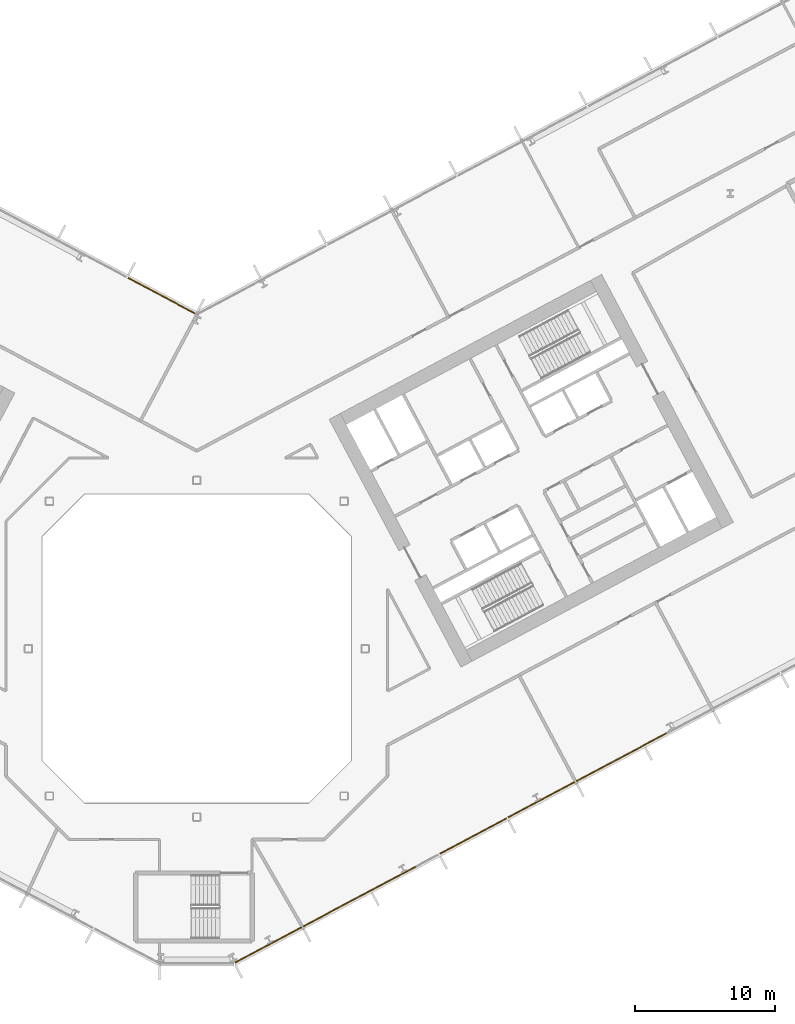
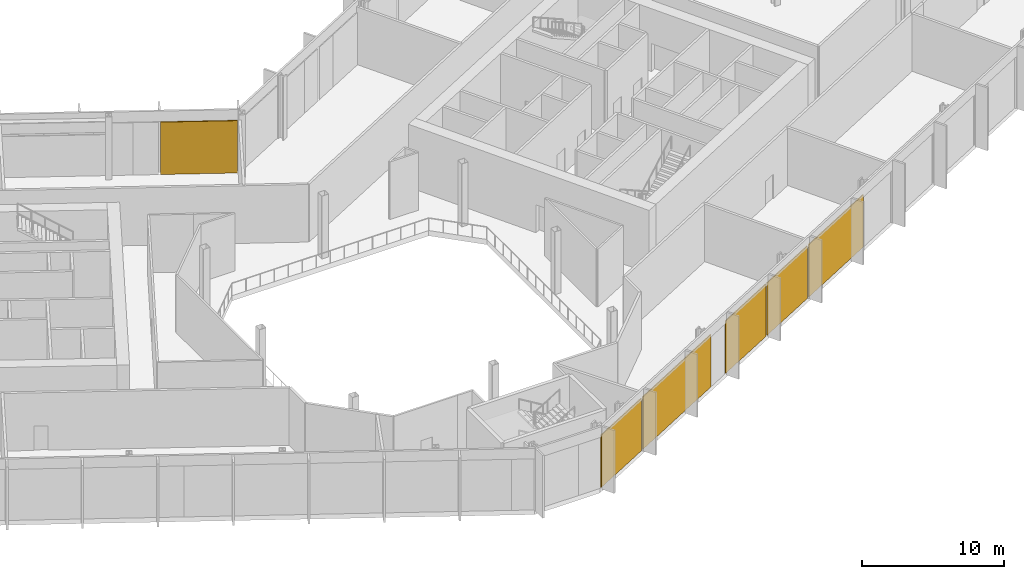
# One storey, part 25 of 31: 6 coverings, 2 elements without a shape of their own.
"""IFC4 building model written with IfcOpenShell, lengths in metres."""

import ifcopenshell
import ifcopenshell.guid

model = None  # the IFC model being written
_history = None  # IfcOwnerHistory: only IFC2X3 demands one
_inside = {}  # id of a spatial element -> (the spatial element, [elements in it])
_under = {}  # id of a project, library or spatial element -> (it, [spatial elements below it])
_declared = {}  # id of a project -> (the project, [libraries it declares])
_typed = {}  # id of a type object -> (the type object, [elements of that type])
_made_of = {}  # id of a material, layer set ... -> (it, [elements and type objects made of it])


def new_model(schema):
    """Start an empty IFC model of exactly this schema.

    Asked for "IFC4X3", IfcOpenShell would pick the latest addendum, in which some entities
    have other attributes; the version numbers below select the first issue.
    IFC2X3 requires an IfcOwnerHistory on every rooted entity: one is made here for all.
    """
    global model, _history
    if schema == "IFC4X3":
        model = ifcopenshell.file(schema_version=(4, 3, 0, 0))
    else:
        model = ifcopenshell.file(schema=schema)
    _inside.clear()
    _under.clear()
    _declared.clear()
    _typed.clear()
    _made_of.clear()
    _history = None
    if model.schema == "IFC2X3":
        org = make("IfcOrganization", Name="unknown")
        user = make(
            "IfcPersonAndOrganization",
            ThePerson=make("IfcPerson", FamilyName="unknown"),
            TheOrganization=org,
        )
        app = make(
            "IfcApplication",
            ApplicationDeveloper=org,
            Version="unknown",
            ApplicationFullName="unknown",
            ApplicationIdentifier="unknown",
        )
        _history = make(
            "IfcOwnerHistory",
            OwningUser=user,
            OwningApplication=app,
            ChangeAction="ADDED",
            CreationDate=0,
        )
    return model


def make(cls, **values):
    """One entity of the class cls with the attributes given. An attribute that is None is left unset."""
    return model.create_entity(
        cls, **{name: value for name, value in values.items() if value is not None}
    )


def rooted(cls, **values):
    """An entity with a GlobalId (a new one), such as an element, a storey or a relation."""
    return make(cls, GlobalId=ifcopenshell.guid.new(), OwnerHistory=_history, **values)


def si_unit(unit_type, name, prefix=None):
    """IfcSIUnit, for example si_unit("LENGTHUNIT", "METRE", prefix="MILLI")."""
    return make("IfcSIUnit", UnitType=unit_type, Prefix=prefix, Name=name)


def assignment(units):
    """IfcUnitAssignment: the units of a project."""
    return None if units is None else make("IfcUnitAssignment", Units=units)


def point(xyz):
    """IfcCartesianPoint."""
    return None if xyz is None else make("IfcCartesianPoint", Coordinates=xyz)


def direction(xyz):
    """IfcDirection."""
    return None if xyz is None else make("IfcDirection", DirectionRatios=xyz)


def frame(location, z_axis=None, x_axis=None):
    """IfcAxis2Placement3D, a coordinate frame: its origin and axes. An axis left out is left unset."""
    return make(
        "IfcAxis2Placement3D",
        Location=point(location),
        Axis=direction(z_axis),
        RefDirection=direction(x_axis),
    )


def frame_2d(location, x_axis=None):
    """IfcAxis2Placement2D, a coordinate frame in the plane: its origin and x axis."""
    return make(
        "IfcAxis2Placement2D", Location=point(location), RefDirection=direction(x_axis)
    )


def origin():
    """The frame at (0, 0, 0) with its axes left unset."""
    return frame((0.0, 0.0, 0.0))


def origin_2d():
    """The frame at (0, 0) in the plane with its x axis left unset."""
    return frame_2d((0.0, 0.0))


def place(relative_to, where):
    """IfcLocalPlacement: puts the frame where relative to a parent placement (None: the world)."""
    return make(
        "IfcLocalPlacement", PlacementRelTo=relative_to, RelativePlacement=where
    )


def context(
    kind, dimensions, precision=None, world=None, true_north=None, identifier=None
):
    """IfcGeometricRepresentationContext, for example the 3D "Model" context."""
    return make(
        "IfcGeometricRepresentationContext",
        ContextIdentifier=identifier,
        ContextType=kind,
        CoordinateSpaceDimension=dimensions,
        Precision=precision,
        WorldCoordinateSystem=world,
        TrueNorth=true_north,
    )


def subcontext(parent, identifier, kind, view, scale=None):
    """IfcGeometricRepresentationSubContext, for example "Body" below "Model"."""
    return make(
        "IfcGeometricRepresentationSubContext",
        ContextIdentifier=identifier,
        ContextType=kind,
        ParentContext=parent,
        TargetScale=scale,
        TargetView=view,
    )


def project(units=None, contexts=None):
    """IfcProject with its units and contexts."""
    return rooted(
        "IfcProject",
        Name="project",
        RepresentationContexts=contexts,
        UnitsInContext=assignment(units),
    )


def spatial(cls, under=None, at=None, **own):
    """A site, building, storey or space (cls), placed at a placement, below another one or the project."""
    s = rooted(cls, ObjectPlacement=at, **own)
    if under is not None:
        _under.setdefault(under.id(), (under, []))[1].append(s)
    return s


def profile(cls, at=None, kind="AREA", **sizes):
    """A parametric profile (cls). Its sizes go by their IFC names, for example OverallWidth=200.0."""
    return make(cls, ProfileType=kind, Position=at, **sizes)


def rectangle(**sizes):
    """IfcRectangleProfileDef."""
    return profile("IfcRectangleProfileDef", **sizes)


def extrude(swept, where, along, depth):
    """IfcExtrudedAreaSolid: the profile swept, set in the frame where, extruded along a direction by depth."""
    return make(
        "IfcExtrudedAreaSolid",
        SweptArea=swept,
        Position=where,
        ExtrudedDirection=direction(along),
        Depth=depth,
    )


def shape(context_of_items, identifier, shape_type, items):
    """IfcShapeRepresentation: the items that make up one representation, for example the "Body"."""
    return make(
        "IfcShapeRepresentation",
        ContextOfItems=context_of_items,
        RepresentationIdentifier=identifier,
        RepresentationType=shape_type,
        Items=items,
    )


def material(Name=None, Category=None):
    """IfcMaterial."""
    return make("IfcMaterial", Name=Name, Category=Category)


def layer(
    of_material, thickness, ventilated=None, Name=None, Category=None, Priority=None
):
    """IfcMaterialLayer: one layer of a wall or slab, of a material (None: an air gap)."""
    return make(
        "IfcMaterialLayer",
        Material=of_material,
        LayerThickness=thickness,
        IsVentilated=ventilated,
        Name=Name,
        Category=Category,
        Priority=Priority,
    )


def layer_set(layers, Name=None):
    """IfcMaterialLayerSet."""
    return make("IfcMaterialLayerSet", MaterialLayers=layers, LayerSetName=Name)


def made_of(thing, what):
    """Note that an element or type object is made of a material, layer set ...; save() writes the relation."""
    if what is not None:
        _made_of.setdefault(what.id(), (what, []))[1].append(thing)
    return thing


def type_object(cls, material=None, **own):
    """A type object (cls), such as IfcWallType, which elements share."""
    return made_of(rooted(cls, **own), material)


def element(
    cls,
    number,
    at=None,
    inside=None,
    cuts=None,
    type_object=None,
    material=None,
    context=None,
    identifier="Body",
    shape_type=None,
    held_by="IfcProductDefinitionShape",
    body=None,
    shapes=None,
    **own,
):
    """One element of the class cls, such as IfcWall. Its Tag is "e" and its number.

    at: its placement. inside: the storey or other place that contains it. cuts: it is an
    opening in that element (IfcRelVoidsElement). A single representation is given by context,
    identifier, shape_type and body (its items); several are given by shapes. held_by: the class
    of the entity that holds the representations. save() writes the other relations.
    """
    e = rooted(cls, Tag="e%d" % number, ObjectPlacement=at, **own)
    if body is not None:
        shapes = [shape(context, identifier, shape_type, body)]
    if shapes is not None:
        e.Representation = make(held_by, Representations=shapes)
    if inside is not None:
        _inside.setdefault(inside.id(), (inside, []))[1].append(e)
    if cuts is not None:
        rooted(
            "IfcRelVoidsElement", RelatingBuildingElement=cuts, RelatedOpeningElement=e
        )
    if type_object is not None:
        _typed.setdefault(type_object.id(), (type_object, []))[1].append(e)
    return made_of(e, material)


def aggregate(whole, parts):
    """IfcRelAggregates: a whole, such as a stair, and the parts it consists of."""
    return rooted("IfcRelAggregates", RelatingObject=whole, RelatedObjects=parts)


def save(model, path):
    """Write the relations noted so far, then the file.

    IfcRelAggregates (storeys below a building ...), IfcRelContainedInSpatialStructure (elements
    in a storey), IfcRelDefinesByType, IfcRelAssociatesMaterial and IfcRelDeclares: one each for
    every whole, place, type object, material and project.
    """
    for whole, parts in _under.values():
        aggregate(whole, parts)
    for where, things in _inside.values():
        rooted(
            "IfcRelContainedInSpatialStructure",
            RelatedElements=things,
            RelatingStructure=where,
        )
    for kind, things in _typed.values():
        rooted("IfcRelDefinesByType", RelatedObjects=things, RelatingType=kind)
    for what, things in _made_of.values():
        rooted("IfcRelAssociatesMaterial", RelatedObjects=things, RelatingMaterial=what)
    for by, libraries in _declared.values():
        rooted("IfcRelDeclares", RelatingContext=by, RelatedDefinitions=libraries)
    model.write(path)


model = new_model("IFC4")

# Units and contexts
model_context = context("Model", 3, precision=1e-05, world=origin(), true_north=direction((0.0, 1.0)))
body_context = subcontext(model_context, "Body", "Model", "MODEL_VIEW")
ifc_project = project(units=[si_unit("LENGTHUNIT", "METRE"), si_unit("AREAUNIT", "SQUARE_METRE"), si_unit("VOLUMEUNIT", "CUBIC_METRE"), si_unit("PLANEANGLEUNIT", "RADIAN"), si_unit("MASSUNIT", "GRAM", prefix="KILO")], contexts=[model_context])

# Site, building, storey
site_placement = place(None, origin())
site = spatial("IfcSite", under=ifc_project, at=site_placement, CompositionType="ELEMENT")
building_placement = place(site_placement, origin())
building = spatial("IfcBuilding", under=site, at=building_placement, Name="Cormorant Relay Tower", CompositionType="ELEMENT")
storey_placement = place(building_placement, frame((0.0, 0.0, 50.0)))
storey = spatial("IfcBuildingStorey", under=building, at=storey_placement, Name="L09", CompositionType="ELEMENT", Elevation=50.0)

# Curtain wall, coverings
ifc_material_1 = material(Name="Aluminium 6063-T6 anodised bronze", Category="aluminium")
ifc_layer_1 = layer(ifc_material_1, 0.235107421875)
ifc_layer_set_1 = layer_set([ifc_layer_1], Name="CW6 data hall curtain wall with mineral wool panels")
curtain_wall_type = type_object("IfcCurtainWallType", Name="CW6 data hall curtain wall with mineral wool panels", PredefinedType="NOTDEFINED", material=ifc_layer_set_1)
curtain_wall_1_placement = place(storey_placement, origin())
curtain_wall_1 = element("IfcCurtainWall", 1, at=curtain_wall_1_placement, inside=storey, type_object=curtain_wall_type, Name="CW6 curtain wall 2", PredefinedType="NOTDEFINED")
ifc_material_2 = material(Name="Mineral wool cored anodised bronze aluminium cassette panel", Category="aluminium")
ifc_layer_2 = layer(ifc_material_2, 0.074951171875)
ifc_layer_set_2 = layer_set([ifc_layer_2], Name="CW6 mineral wool cassette panel 75")
covering_type = type_object("IfcCoveringType", Name="CW6 mineral wool cassette panel 75", PredefinedType="CLADDING", material=ifc_layer_set_2)
covering_1_placement = place(storey_placement, frame((5.099853515625, -21.11474609375, 0.0), z_axis=(0.0, 0.0, 1.0), x_axis=(0.882947592859, 0.469471562786, 0.0)))
covering_1 = element("IfcCovering", 2, at=covering_1_placement, type_object=covering_type, Name="CW6 panel S00", PredefinedType="CLADDING", context=body_context, shape_type="SweptSolid", body=[
    extrude(rectangle(XDim=5.36181640625, YDim=0.074951171875, at=origin_2d()), origin(), (0.0, 0.0, 1.0), 4.5),
])
covering_2_placement = place(storey_placement, frame((11.60498046875, -17.656005859375, 0.0), z_axis=(0.0, 0.0, 1.0), x_axis=(0.882947592859, 0.469471562786, 0.0)))
covering_2 = element("IfcCovering", 3, at=covering_2_placement, type_object=covering_type, Name="CW6 panel S01", PredefinedType="CLADDING", context=body_context, shape_type="SweptSolid", body=[
    extrude(rectangle(XDim=9.07373046875, YDim=0.074951171875, at=origin_2d()), origin(), (0.0, 0.0, 1.0), 4.5),
])
covering_3_placement = place(storey_placement, frame((19.69970703125, -13.351806640625, 0.0), z_axis=(0.0, 0.0, 1.0), x_axis=(0.882947592859, 0.469471562786, 0.0)))
covering_3 = element("IfcCovering", 4, at=covering_3_placement, type_object=covering_type, Name="CW6 panel S03", PredefinedType="CLADDING", context=body_context, shape_type="SweptSolid", body=[
    extrude(rectangle(XDim=5.36181640625, YDim=0.074951171875, at=origin_2d()), origin(), (0.0, 0.0, 1.0), 4.5),
])
covering_4_placement = place(storey_placement, frame((24.56640625, -10.76416015625, 0.0), z_axis=(0.0, 0.0, 1.0), x_axis=(0.882947592859, 0.469471562786, 0.0)))
covering_4 = element("IfcCovering", 5, at=covering_4_placement, type_object=covering_type, Name="CW6 panel S04", PredefinedType="CLADDING", context=body_context, shape_type="SweptSolid", body=[
    extrude(rectangle(XDim=5.36181640625, YDim=0.074951171875, at=origin_2d()), origin(), (0.0, 0.0, 1.0), 4.5),
])
covering_5_placement = place(storey_placement, frame((30.277099609375, -7.727783203125, 0.0), z_axis=(0.0, 0.0, 1.0), x_axis=(0.882947592859, 0.469471562786, 0.0)))
covering_5 = element("IfcCovering", 6, at=covering_5_placement, type_object=covering_type, Name="CW6 panel S05", PredefinedType="CLADDING", context=body_context, shape_type="SweptSolid", body=[
    extrude(rectangle(XDim=7.273681640625, YDim=0.074951171875, at=origin_2d()), origin(), (0.0, 0.0, 1.0), 4.5),
])
aggregate(curtain_wall_1, [covering_1, covering_2, covering_3, covering_4, covering_5])

# Curtain wall, covering
curtain_wall_2_placement = place(storey_placement, origin())
curtain_wall_2 = element("IfcCurtainWall", 7, at=curtain_wall_2_placement, inside=storey, type_object=curtain_wall_type, Name="CW6 curtain wall 7", PredefinedType="NOTDEFINED")
covering_6_placement = place(storey_placement, frame((-2.5048828125, 25.158447265625, 0.0), z_axis=(0.0, 0.0, 1.0), x_axis=(-0.882947592859, 0.469471562786, 0.0)))
covering_6 = element("IfcCovering", 8, at=covering_6_placement, type_object=covering_type, Name="CW6 panel S00", PredefinedType="CLADDING", context=body_context, shape_type="SweptSolid", body=[
    extrude(rectangle(XDim=5.4140625, YDim=0.074951171875, at=origin_2d()), origin(), (0.0, 0.0, 1.0), 4.5),
])
aggregate(curtain_wall_2, [covering_6])

save(model, "model.ifc")
